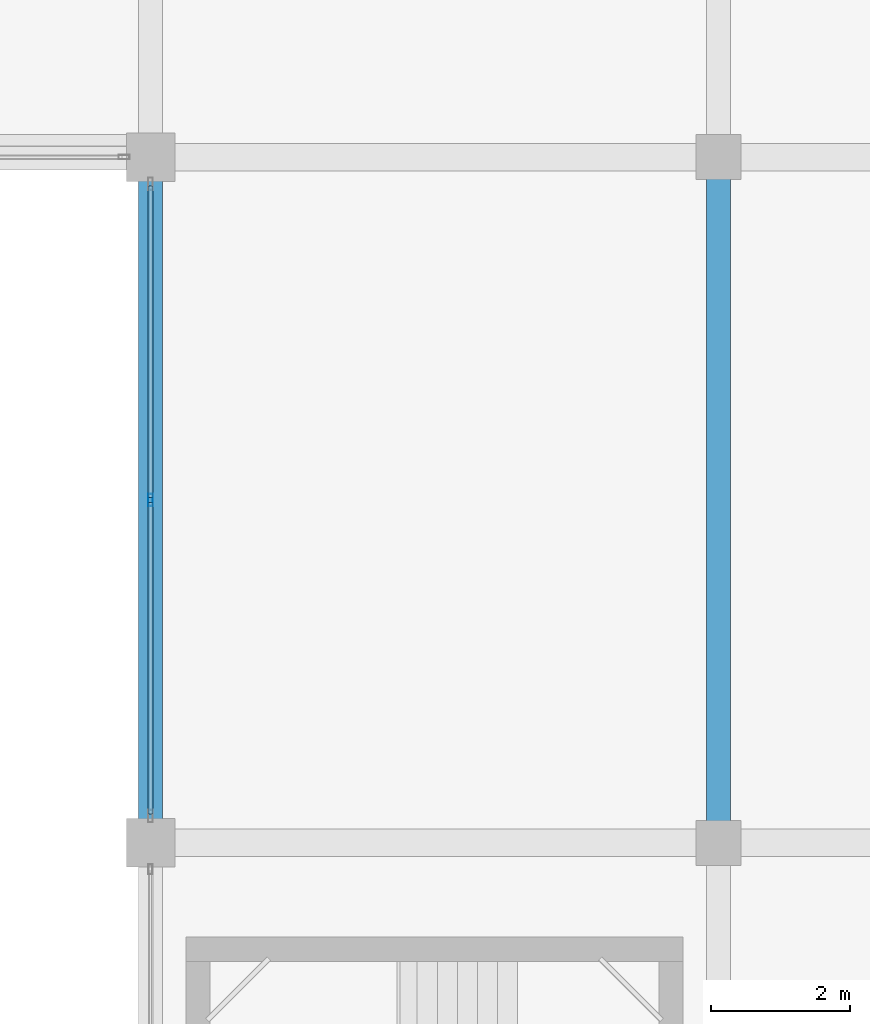
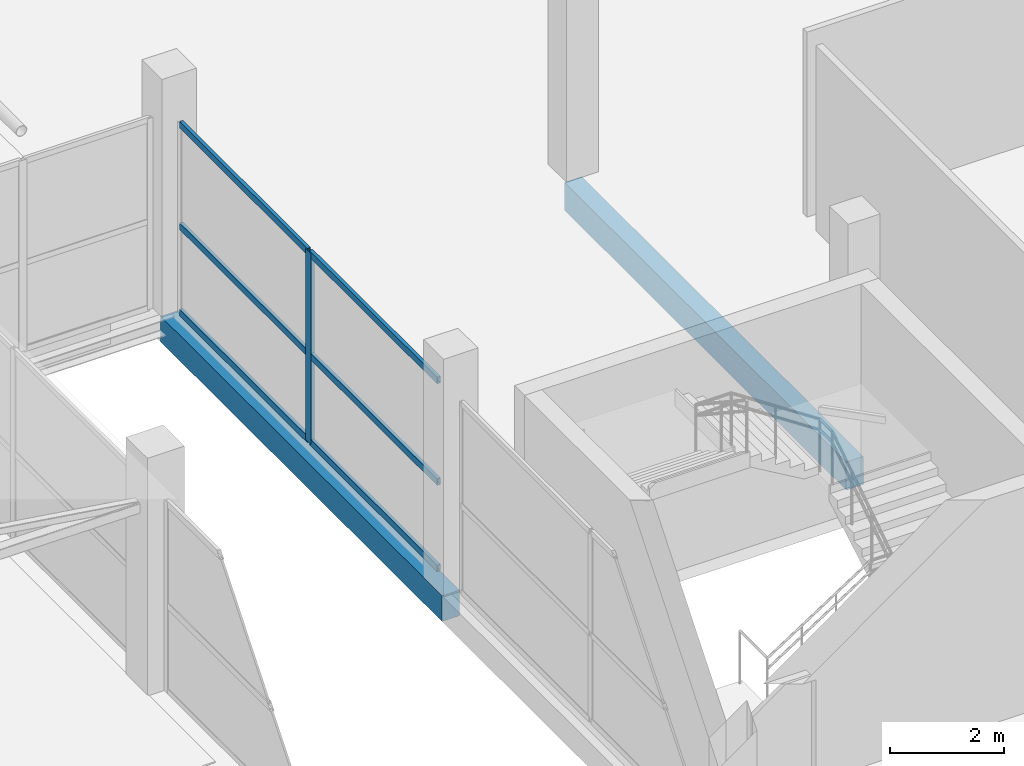
# One storey, part 33 of 67: 7 members, 2 beams, 1 element without a shape of its own.
"""IFC4 building model written with IfcOpenShell, lengths in metres."""

from ifc_helpers import new_model, si_unit, direction, frame, origin, origin_2d, place, context, subcontext, project, spatial, rectangle, hollow_rectangle, extrude, material, layer, layer_set, material_profile, profile_set, type_object, element, aggregate, save


model = new_model("IFC4")

# Units and contexts
model_context = context("Model", 3, precision=1e-05, world=origin(), true_north=direction((0.0, 1.0)))
body_context = subcontext(model_context, "Body", "Model", "MODEL_VIEW")
ifc_project = project(units=[si_unit("LENGTHUNIT", "METRE"), si_unit("AREAUNIT", "SQUARE_METRE"), si_unit("VOLUMEUNIT", "CUBIC_METRE"), si_unit("PLANEANGLEUNIT", "RADIAN"), si_unit("MASSUNIT", "GRAM", prefix="KILO")], contexts=[model_context])

# Site, building, storey
site_placement = place(None, origin())
site = spatial("IfcSite", under=ifc_project, at=site_placement, CompositionType="ELEMENT")
building_placement = place(site_placement, origin())
building = spatial("IfcBuilding", under=site, at=building_placement, Name="Sillaruma Civic Art Gallery", CompositionType="ELEMENT")
storey_placement = place(building_placement, frame((0.0, 0.0, 46.919921875)))
storey = spatial("IfcBuildingStorey", under=building, at=storey_placement, Name="L09", CompositionType="ELEMENT", Elevation=46.919921875)

# Beams
ifc_material_1 = material(Name="Concrete H35 (35 MPa)", Category="concrete")
ifc_material_profile_1 = material_profile(ifc_material_1, rectangle(XDim=0.35009765625, YDim=0.60009765625, at=origin_2d()), Name="RCB350x600")
ifc_profile_set_1 = profile_set([ifc_material_profile_1], Name="Concrete H35 (35 MPa)")
beam_type_1 = type_object("IfcBeamType", Name="BM-BEAM-RCB350x600", PredefinedType="BEAM", material=ifc_profile_set_1)
beam_1_placement = place(storey_placement, frame((106.199951171875, 59.39990234375, -0.5498046875), z_axis=(0.0, 1.0, 0.0), x_axis=(-1.0, 0.0, 0.0)))
element("IfcBeam", 1, at=beam_1_placement, inside=storey, type_object=beam_type_1, Name="Beam BM-06 (L08:M:7-8)", PredefinedType="BEAM", context=body_context, shape_type="SweptSolid", body=[
    extrude(rectangle(XDim=0.35009765625, YDim=0.60009765625, at=origin_2d()), origin(), (0.0, 0.0, 1.0), 9.900146484375),
])
ifc_material_profile_2 = material_profile(ifc_material_1, rectangle(XDim=0.35009765625, YDim=0.550048828125, at=origin_2d()), Name="RCB350x550")
ifc_profile_set_2 = profile_set([ifc_material_profile_2], Name="Concrete H35 (35 MPa)")
beam_type_2 = type_object("IfcBeamType", Name="BM-SPANDREL-RCB350x550", PredefinedType="SPANDREL", material=ifc_profile_set_2)
beam_2_placement = place(storey_placement, frame((98.0, 59.39990234375, -0.52490234375), z_axis=(0.0, 1.0, 0.0), x_axis=(-1.0, 0.0, 0.0)))
element("IfcBeam", 2, at=beam_2_placement, inside=storey, type_object=beam_type_2, Name="Beam BS-04 (L08:L:7-8)", PredefinedType="SPANDREL", context=body_context, shape_type="SweptSolid", body=[
    extrude(rectangle(XDim=0.35009765625, YDim=0.550048828125, at=origin_2d()), origin(), (0.0, 0.0, 1.0), 9.900146484375),
])

# Curtain wall, members
ifc_material_2 = material(Name="Thermally Broken Extruded Aluminium 6063-T6", Category="aluminium")
ifc_layer = layer(ifc_material_2, 0.179931640625, Name="Thermally Broken Extruded Aluminium 6063-T6")
ifc_layer_set = layer_set([ifc_layer], Name="Thermally Broken Extruded Aluminium 6063-T6")
curtain_wall_type = type_object("IfcCurtainWallType", Name="CW-UNI-66", PredefinedType="NOTDEFINED", material=ifc_layer_set)
curtain_wall_placement = place(storey_placement, origin())
curtain_wall = element("IfcCurtainWall", 3, at=curtain_wall_placement, inside=storey, type_object=curtain_wall_type, Name="Unitised Curtain Wall CW-66 (CW-L09-EBW-5)", PredefinedType="NOTDEFINED")
ifc_material_profile_3 = material_profile(ifc_material_2, hollow_rectangle(XDim=0.070068359375, YDim=0.179931640625, WallThickness=0.00390625, at=origin_2d()), Name="CWM70x180")
ifc_profile_set_3 = profile_set([ifc_material_profile_3], Name="Thermally Broken Extruded Aluminium 6063-T6")
member_type_1 = type_object("IfcMemberType", Name="MEM-MUL-CWM70x180", PredefinedType="MULLION", material=ifc_profile_set_3)
member_1_placement = place(storey_placement, frame((98.0, 64.35009765625, 0.0), z_axis=(0.0, 0.0, 1.0), x_axis=(-1.0, 0.0, 0.0)))
member_1 = element("IfcMember", 4, at=member_1_placement, type_object=member_type_1, Name="CW-66 mullion 2", PredefinedType="MULLION", context=body_context, shape_type="SweptSolid", body=[
    extrude(hollow_rectangle(XDim=0.070068359375, YDim=0.179931640625, WallThickness=0.00390625, at=origin_2d()), origin(), (0.0, 0.0, 1.0), 4.10009765625),
])
ifc_material_profile_4 = material_profile(ifc_material_2, hollow_rectangle(XDim=0.070068359375, YDim=0.139892578125, WallThickness=0.00390625, at=origin_2d()), Name="CWT70x140")
ifc_profile_set_4 = profile_set([ifc_material_profile_4], Name="Thermally Broken Extruded Aluminium 6063-T6")
member_type_2 = type_object("IfcMemberType", Name="MEM-TRN-CWT70x140", PredefinedType="USERDEFINED", material=ifc_profile_set_4)
member_2_placement = place(storey_placement, frame((98.0, 59.820068359375, 0.03515625), z_axis=(0.0, 1.0, 0.0), x_axis=(-1.0, 0.0, 0.0)))
member_2 = element("IfcMember", 5, at=member_2_placement, type_object=member_type_2, Name="CW-66 transom 1.1", ObjectType="TRANSOM", PredefinedType="USERDEFINED", context=body_context, shape_type="SweptSolid", body=[
    extrude(hollow_rectangle(XDim=0.070068359375, YDim=0.139892578125, WallThickness=0.00390625, at=origin_2d()), origin(), (0.0, 0.0, 1.0), 4.494873046875),
])
member_3_placement = place(storey_placement, frame((98.0, 59.820068359375, 1.885986328125), z_axis=(0.0, 1.0, 0.0), x_axis=(-1.0, 0.0, 0.0)))
member_3 = element("IfcMember", 6, at=member_3_placement, type_object=member_type_2, Name="CW-66 transom 1.2", ObjectType="TRANSOM", PredefinedType="USERDEFINED", context=body_context, shape_type="SweptSolid", body=[
    extrude(hollow_rectangle(XDim=0.070068359375, YDim=0.139892578125, WallThickness=0.00390625, at=origin_2d()), origin(), (0.0, 0.0, 1.0), 4.494873046875),
])
member_4_placement = place(storey_placement, frame((98.0, 59.820068359375, 4.065185546875), z_axis=(0.0, 1.0, 0.0), x_axis=(-1.0, 0.0, 0.0)))
member_4 = element("IfcMember", 7, at=member_4_placement, type_object=member_type_2, Name="CW-66 transom 1.3", ObjectType="TRANSOM", PredefinedType="USERDEFINED", context=body_context, shape_type="SweptSolid", body=[
    extrude(hollow_rectangle(XDim=0.070068359375, YDim=0.139892578125, WallThickness=0.00390625, at=origin_2d()), origin(), (0.0, 0.0, 1.0), 4.494873046875),
])
member_5_placement = place(storey_placement, frame((98.0, 64.385009765625, 0.03515625), z_axis=(0.0, 1.0, 0.0), x_axis=(-1.0, 0.0, 0.0)))
member_5 = element("IfcMember", 8, at=member_5_placement, type_object=member_type_2, Name="CW-66 transom 2.1", ObjectType="TRANSOM", PredefinedType="USERDEFINED", context=body_context, shape_type="SweptSolid", body=[
    extrude(hollow_rectangle(XDim=0.070068359375, YDim=0.139892578125, WallThickness=0.00390625, at=origin_2d()), origin(), (0.0, 0.0, 1.0), 4.494873046875),
])
member_6_placement = place(storey_placement, frame((98.0, 64.385009765625, 1.885986328125), z_axis=(0.0, 1.0, 0.0), x_axis=(-1.0, 0.0, 0.0)))
member_6 = element("IfcMember", 9, at=member_6_placement, type_object=member_type_2, Name="CW-66 transom 2.2", ObjectType="TRANSOM", PredefinedType="USERDEFINED", context=body_context, shape_type="SweptSolid", body=[
    extrude(hollow_rectangle(XDim=0.070068359375, YDim=0.139892578125, WallThickness=0.00390625, at=origin_2d()), origin(), (0.0, 0.0, 1.0), 4.494873046875),
])
member_7_placement = place(storey_placement, frame((98.0, 64.385009765625, 4.065185546875), z_axis=(0.0, 1.0, 0.0), x_axis=(-1.0, 0.0, 0.0)))
member_7 = element("IfcMember", 10, at=member_7_placement, type_object=member_type_2, Name="CW-66 transom 2.3", ObjectType="TRANSOM", PredefinedType="USERDEFINED", context=body_context, shape_type="SweptSolid", body=[
    extrude(hollow_rectangle(XDim=0.070068359375, YDim=0.139892578125, WallThickness=0.00390625, at=origin_2d()), origin(), (0.0, 0.0, 1.0), 4.494873046875),
])
aggregate(curtain_wall, [member_1, member_2, member_3, member_4, member_5, member_6, member_7])

save(model, "model.ifc")
